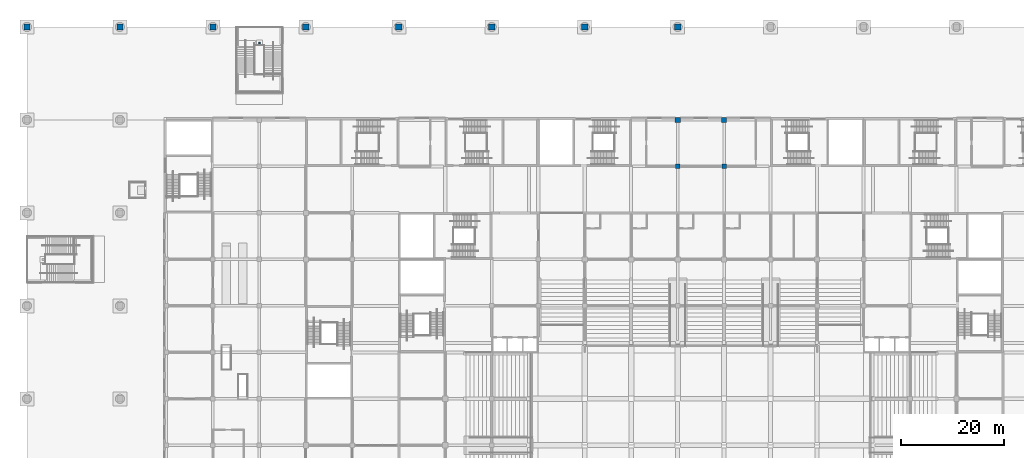
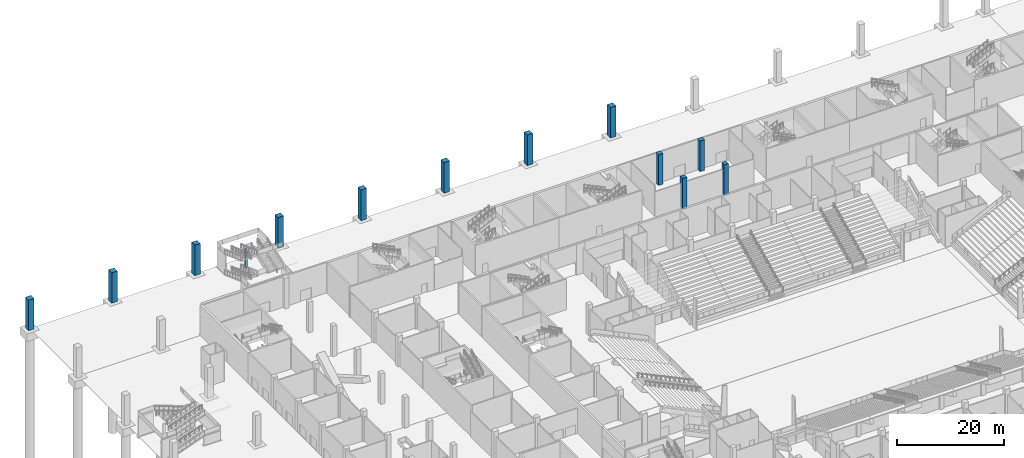
# One storey, part 6 of 92: 13 columns.
"""IFC4 building model written with IfcOpenShell, lengths in metres."""

from ifc_helpers import new_model, si_unit, direction, frame, origin, origin_2d, place, context, subcontext, project, spatial, rectangle, extrude, material, material_profile, profile_set, type_object, element, save


model = new_model("IFC4")

# Units and contexts
model_context = context("Model", 3, precision=1e-05, world=origin(), true_north=direction((0.0, 1.0)))
body_context = subcontext(model_context, "Body", "Model", "MODEL_VIEW")
ifc_project = project(units=[si_unit("LENGTHUNIT", "METRE"), si_unit("AREAUNIT", "SQUARE_METRE"), si_unit("VOLUMEUNIT", "CUBIC_METRE"), si_unit("PLANEANGLEUNIT", "RADIAN"), si_unit("MASSUNIT", "GRAM", prefix="KILO")], contexts=[model_context])

# Site, building, storey
site_placement = place(None, origin())
site = spatial("IfcSite", under=ifc_project, at=site_placement, CompositionType="ELEMENT")
building_placement = place(site_placement, origin())
building = spatial("IfcBuilding", under=site, at=building_placement, Name="Silverbay Arena", CompositionType="ELEMENT")
storey_placement = place(building_placement, origin())
storey = spatial("IfcBuildingStorey", under=building, at=storey_placement, Name="L00", CompositionType="ELEMENT", Elevation=0.0)

# Columns
ifc_material_1 = material(Name="Concrete Grade 60", Category="concrete")
ifc_material_profile_1 = material_profile(ifc_material_1, rectangle(XDim=1.0, YDim=1.0, at=origin_2d()), Name="RC 1000x1000")
ifc_profile_set_1 = profile_set([ifc_material_profile_1], Name="Concrete Grade 60")
column_type_1 = type_object("IfcColumnType", Name="RC column 1000x1000", PredefinedType="COLUMN", material=ifc_profile_set_1)
for number, where, z_axis, x_axis, name in (
    (1, (126.0, 144.0, 0.0), (0.0, 0.0, 1.0), (1.0, 0.0, 0.0), "Column 15/S L00"),
    (2, (135.0, 144.0, 0.0), (0.0, 0.0, 1.0), (1.0, 0.0, 0.0), "Column 16/S L00"),
):
    element("IfcColumn", number, at=place(storey_placement, frame(where, z_axis=z_axis, x_axis=x_axis)), inside=storey, type_object=column_type_1, Name=name, PredefinedType="COLUMN", context=body_context, shape_type="SweptSolid", body=[
        extrude(rectangle(XDim=1.0, YDim=1.0, at=origin_2d()), origin(), (0.0, 0.0, 1.0), 7.0),
    ])
ifc_material_2 = material(Name="Concrete Grade 60", Category="concrete")
ifc_material_profile_2 = material_profile(ifc_material_2, rectangle(XDim=1.199951171875, YDim=1.199951171875, at=origin_2d()), Name="RC 1200x1200")
ifc_profile_set_2 = profile_set([ifc_material_profile_2], Name="Concrete Grade 60")
column_type_2 = type_object("IfcColumnType", Name="RC column 1200x1200", PredefinedType="COLUMN", material=ifc_profile_set_2)
for number, where, z_axis, x_axis, name in (
    (3, (0.0, 162.0, 0.0), (0.0, 0.0, 1.0), (1.0, 0.0, 0.0), "Column 1/U L00"),
    (4, (18.0, 162.0, 0.0), (0.0, 0.0, 1.0), (1.0, 0.0, 0.0), "Column 3/U L00"),
    (5, (36.0, 162.0, 0.0), (0.0, 0.0, 1.0), (1.0, 0.0, 0.0), "Column 5/U L00"),
    (6, (54.0, 162.0, 0.0), (0.0, 0.0, 1.0), (1.0, 0.0, 0.0), "Column 7/U L00"),
    (7, (72.0, 162.0, 0.0), (0.0, 0.0, 1.0), (1.0, 0.0, 0.0), "Column 9/U L00"),
    (8, (90.0, 162.0, 0.0), (0.0, 0.0, 1.0), (1.0, 0.0, 0.0), "Column 11/U L00"),
    (9, (108.0, 162.0, 0.0), (0.0, 0.0, 1.0), (1.0, 0.0, 0.0), "Column 13/U L00"),
    (10, (126.0, 162.0, 0.0), (0.0, 0.0, 1.0), (1.0, 0.0, 0.0), "Column 15/U L00"),
):
    element("IfcColumn", number, at=place(storey_placement, frame(where, z_axis=z_axis, x_axis=x_axis)), inside=storey, type_object=column_type_2, Name=name, PredefinedType="COLUMN", context=body_context, shape_type="SweptSolid", body=[
        extrude(rectangle(XDim=1.199951171875, YDim=1.199951171875, at=origin_2d()), origin(), (0.0, 0.0, 1.0), 7.0),
    ])
ifc_material_3 = material(Name="Concrete Grade C45", Category="concrete")
ifc_material_profile_3 = material_profile(ifc_material_3, rectangle(XDim=0.89990234375, YDim=0.89990234375, at=origin_2d()), Name="RC 900x900")
ifc_profile_set_3 = profile_set([ifc_material_profile_3], Name="Concrete Grade C45")
column_type_3 = type_object("IfcColumnType", Name="RC column 900x900", PredefinedType="COLUMN", material=ifc_profile_set_3)
for number, where, z_axis, x_axis, name in (
    (11, (126.0, 135.0, 0.0), (0.0, 0.0, 1.0), (1.0, 0.0, 0.0), "Column 15/R L00"),
    (12, (135.0, 135.0, 0.0), (0.0, 0.0, 1.0), (1.0, 0.0, 0.0), "Column 16/R L00"),
):
    element("IfcColumn", number, at=place(storey_placement, frame(where, z_axis=z_axis, x_axis=x_axis)), inside=storey, type_object=column_type_3, Name=name, PredefinedType="COLUMN", context=body_context, shape_type="SweptSolid", body=[
        extrude(rectangle(XDim=0.89990234375, YDim=0.89990234375, at=origin_2d()), origin(), (0.0, 0.0, 1.0), 7.0),
    ])
ifc_material_4 = material(Name="Concrete Grade C45", Category="concrete")
ifc_material_profile_4 = material_profile(ifc_material_4, rectangle(XDim=0.39990234375, YDim=0.39990234375, at=origin_2d()), Name="RC 400x400")
ifc_profile_set_4 = profile_set([ifc_material_profile_4], Name="Concrete Grade C45")
column_type_4 = type_object("IfcColumnType", Name="Support column RC 400 x 400", PredefinedType="COLUMN", material=ifc_profile_set_4)
column_placement = place(storey_placement, frame((45.0, 158.89990234375, 0.0), z_axis=(0.0, 0.0, 1.0), x_axis=(1.0, 0.0, 0.0)))
element("IfcColumn", 13, at=column_placement, inside=storey, type_object=column_type_4, Name="Deck stair DS4 landing support column", PredefinedType="COLUMN", context=body_context, shape_type="SweptSolid", body=[
    extrude(rectangle(XDim=0.39990234375, YDim=0.39990234375, at=origin_2d()), origin(), (0.0, 0.0, 1.0), 4.416748046875),
])

save(model, "model.ifc")
